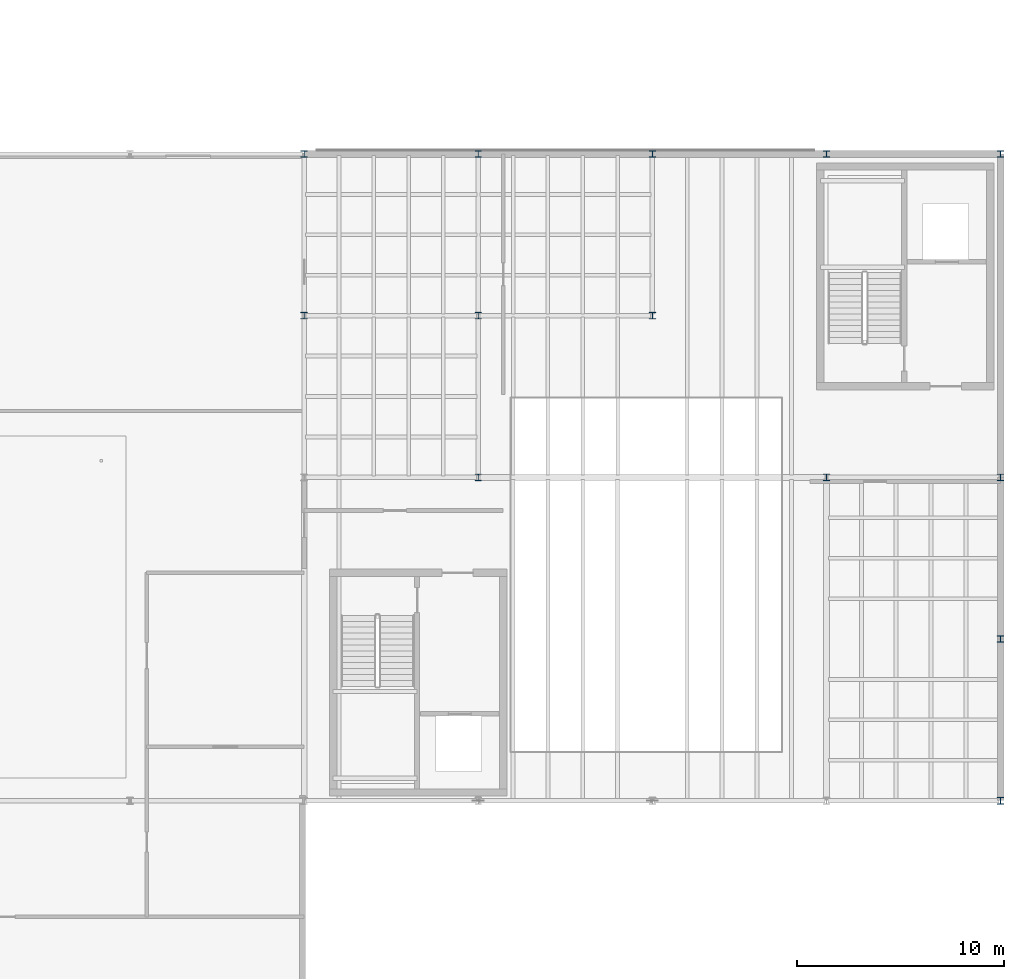
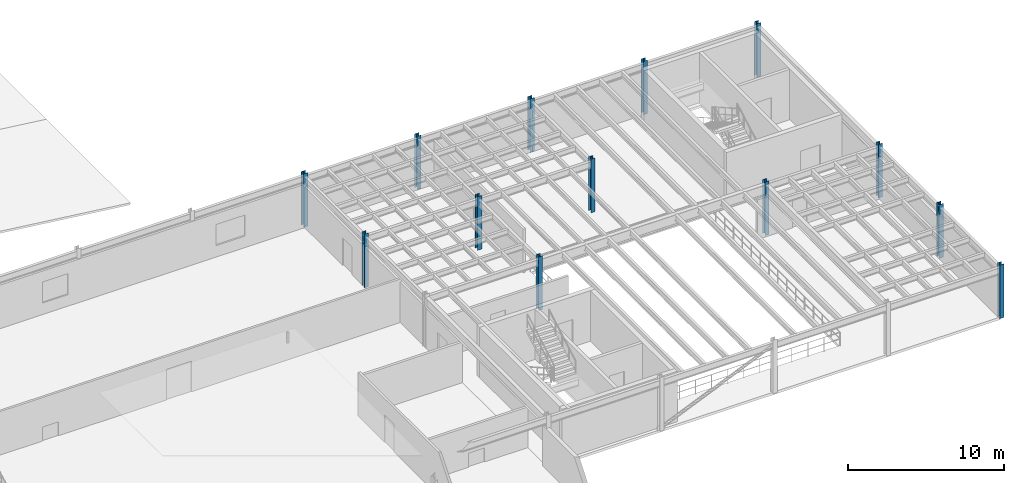
# One storey, part 4 of 26: 13 columns.
"""IFC4 building model written with IfcOpenShell, lengths in metres."""

from ifc_helpers import new_model, si_unit, direction, frame, origin, origin_2d, place, context, subcontext, project, spatial, i_section, extrude, material, material_profile, profile_set, type_object, element, save


model = new_model("IFC4")

# Units and contexts
model_context = context("Model", 3, precision=1e-05, world=origin(), true_north=direction((0.0, 1.0)))
body_context = subcontext(model_context, "Body", "Model", "MODEL_VIEW")
ifc_project = project(units=[si_unit("LENGTHUNIT", "METRE"), si_unit("AREAUNIT", "SQUARE_METRE"), si_unit("VOLUMEUNIT", "CUBIC_METRE"), si_unit("PLANEANGLEUNIT", "RADIAN"), si_unit("MASSUNIT", "GRAM", prefix="KILO")], contexts=[model_context])

# Site, building, storey
site_placement = place(None, origin())
site = spatial("IfcSite", under=ifc_project, at=site_placement, CompositionType="ELEMENT")
building_placement = place(site_placement, origin())
building = spatial("IfcBuilding", under=site, at=building_placement, Name="Selat Folded Stagehouse", CompositionType="ELEMENT")
storey_placement = place(building_placement, frame((0.0, 0.0, 23.39990234375)))
storey = spatial("IfcBuildingStorey", under=building, at=storey_placement, Name="L05", CompositionType="ELEMENT", Elevation=23.39990234375)

# Columns
ifc_material = material(Name="Steel S355", Category="steel")
ifc_material_profile = material_profile(ifc_material, i_section(OverallWidth=0.30908203125, OverallDepth=0.320556640625, WebThickness=0.013916015625, FlangeThickness=0.021728515625, FilletRadius=0.01513671875, at=origin_2d()), Name="UKC 305x305x137")
ifc_profile_set = profile_set([ifc_material_profile], Name="Steel S355")
column_type = type_object("IfcColumnType", Name="COL-UKC-305x305x137", PredefinedType="COLUMN", material=ifc_profile_set)
for number, where, z_axis, x_axis, name in (
    (1, (33.60009765625, 46.800048828125, 0.0), (0.0, 0.0, 1.0), (1.0, 0.0, 0.0), "L05 column STK-V2-09"),
    (2, (33.60009765625, 54.60009765625, 0.0), (0.0, 0.0, 1.0), (1.0, 0.0, 0.0), "L05 column STK-V2-10"),
    (3, (42.0, 39.0, 0.0), (0.0, 0.0, 1.0), (1.0, 0.0, 0.0), "L05 column STK-V2-12"),
    (4, (42.0, 46.800048828125, 0.0), (0.0, 0.0, 1.0), (1.0, 0.0, 0.0), "L05 column STK-V2-13"),
    (5, (42.0, 54.60009765625, 0.0), (0.0, 0.0, 1.0), (1.0, 0.0, 0.0), "L05 column STK-V2-14"),
    (6, (50.39990234375, 46.800048828125, 0.0), (0.0, 0.0, 1.0), (1.0, 0.0, 0.0), "L05 column STK-V2-16"),
    (7, (50.39990234375, 54.60009765625, 0.0), (0.0, 0.0, 1.0), (1.0, 0.0, 0.0), "L05 column STK-V2-17"),
    (8, (58.800048828125, 39.0, 0.0), (0.0, 0.0, 1.0), (1.0, 0.0, 0.0), "L05 column STK-V2-19"),
    (9, (58.800048828125, 54.60009765625, 0.0), (0.0, 0.0, 1.0), (1.0, 0.0, 0.0), "L05 column STK-V2-20"),
    (10, (67.199951171875, 23.39990234375, 0.0), (0.0, 0.0, 1.0), (1.0, 0.0, 0.0), "L05 column STK-V2-21"),
    (11, (67.199951171875, 31.199951171875, 0.0), (0.0, 0.0, 1.0), (1.0, 0.0, 0.0), "L05 column STK-V2-22"),
    (12, (67.199951171875, 39.0, 0.0), (0.0, 0.0, 1.0), (1.0, 0.0, 0.0), "L05 column STK-V2-23"),
    (13, (67.199951171875, 54.60009765625, 0.0), (0.0, 0.0, 1.0), (1.0, 0.0, 0.0), "L05 column STK-V2-24"),
):
    element("IfcColumn", number, at=place(storey_placement, frame(where, z_axis=z_axis, x_axis=x_axis)), inside=storey, type_object=column_type, Name=name, PredefinedType="COLUMN", context=body_context, shape_type="SweptSolid", body=[
        extrude(i_section(OverallWidth=0.30908203125, OverallDepth=0.320556640625, WebThickness=0.013916015625, FlangeThickness=0.021728515625, FilletRadius=0.01513671875, at=origin_2d()), origin(), (0.0, 0.0, 1.0), 4.2001953125),
    ])

save(model, "model.ifc")
